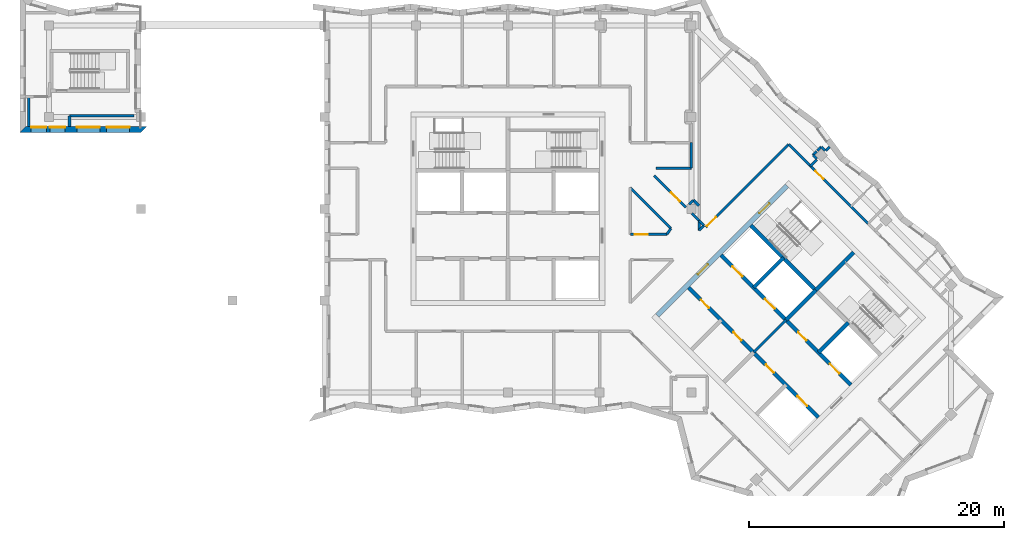
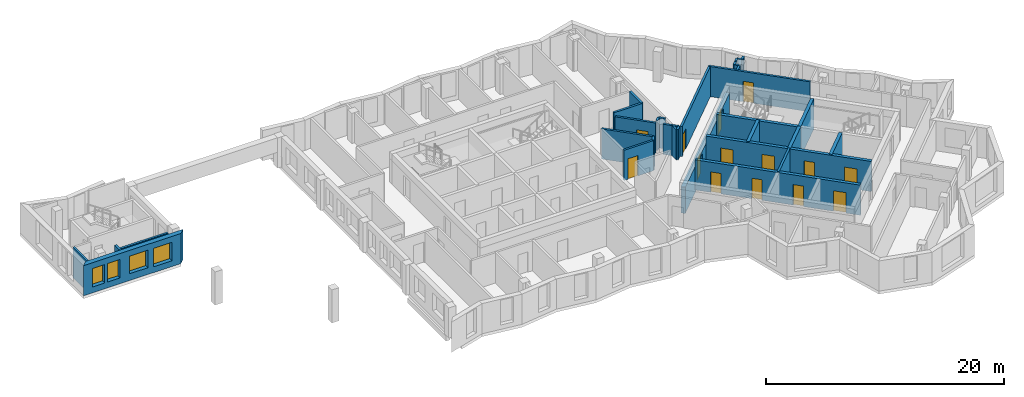
# One storey, part 4 of 13: 33 walls, 14 doors, 4 windows, 18 openings.
"""IFC4 building model written with IfcOpenShell, lengths in metres."""

from ifc_helpers import new_model, si_unit, direction, frame, frame_2d, origin, place, context, subcontext, project, spatial, polyline, rectangle, outline, extrude, material, layer, layer_set, type_object, element, fill, save


model = new_model("IFC4")

# Units and contexts
model_context = context("Model", 3, precision=1e-05, world=origin(), true_north=direction((0.0, 1.0)))
body_context = subcontext(model_context, "Body", "Model", "MODEL_VIEW")
ifc_project = project(units=[si_unit("LENGTHUNIT", "METRE"), si_unit("AREAUNIT", "SQUARE_METRE"), si_unit("VOLUMEUNIT", "CUBIC_METRE"), si_unit("PLANEANGLEUNIT", "RADIAN"), si_unit("MASSUNIT", "GRAM", prefix="KILO")], contexts=[model_context])

# Site, building, storey
site_placement = place(None, origin())
site = spatial("IfcSite", under=ifc_project, at=site_placement, CompositionType="ELEMENT")
building_placement = place(site_placement, origin())
building = spatial("IfcBuilding", under=site, at=building_placement, Name="Windrow Commons", CompositionType="ELEMENT")
storey_placement = place(building_placement, frame((0.0, 0.0, 264.2)))
storey = spatial("IfcBuildingStorey", under=building, at=storey_placement, Name="L72", CompositionType="ELEMENT", Elevation=264.2)

# Wall, openings, windows
ifc_material_1 = material(Name="Brick masonry, red clay brick", Category="masonry")
ifc_layer_1 = layer(ifc_material_1, 0.45)
ifc_layer_set_1 = layer_set([ifc_layer_1], Name="Brick facade wall 450")
wall_type_1 = type_object("IfcWallType", Name="Brick facade wall 450", PredefinedType="SOLIDWALL", material=ifc_layer_set_1)
wall_1_placement = place(storey_placement, frame((26.743, 63.825, 0.0), z_axis=(0.0, 0.0, 1.0), x_axis=(1.0, 0.0, 0.0)))
wall_1 = element("IfcWall", 1, at=wall_1_placement, inside=storey, type_object=wall_type_1, Name="Brick facade wall L72 32", PredefinedType="SOLIDWALL", context=body_context, shape_type="SweptSolid", body=[
    extrude(outline(polyline([(-0.225, -0.225), (9.257, -0.225), (9.707, 0.225), (0.225, 0.225), (-0.225, -0.225)])), origin(), (0.0, 0.0, 1.0), 3.1),
])
opening_1_placement = place(wall_1_placement, frame((6.5695, 0.0, 0.6)))
opening_1 = element("IfcOpeningElement", 2, at=opening_1_placement, cuts=wall_1, Name="Opening W1L", PredefinedType="OPENING", context=body_context, shape_type="SweptSolid", body=[
    extrude(rectangle(XDim=1.8, YDim=1.9, at=frame_2d((0.9, 0.95))), frame((0.0, 0.235, 0.0), z_axis=(0.0, -1.0, 0.0), x_axis=(1.0, 0.0, 0.0)), (0.0, 0.0, 1.0), 0.47),
])
opening_2_placement = place(wall_1_placement, frame((0.641, 0.0, 0.6)))
opening_2 = element("IfcOpeningElement", 3, at=opening_2_placement, cuts=wall_1, Name="Opening W7G", PredefinedType="OPENING", context=body_context, shape_type="SweptSolid", body=[
    extrude(rectangle(XDim=1.2, YDim=1.9, at=frame_2d((0.6, 0.95))), frame((0.0, 0.235, 0.0), z_axis=(0.0, -1.0, 0.0), x_axis=(1.0, 0.0, 0.0)), (0.0, 0.0, 1.0), 0.47),
])
opening_3_placement = place(wall_1_placement, frame((2.124, 0.0, 0.6)))
opening_3 = element("IfcOpeningElement", 4, at=opening_3_placement, cuts=wall_1, Name="Opening W7G", PredefinedType="OPENING", context=body_context, shape_type="SweptSolid", body=[
    extrude(rectangle(XDim=1.2, YDim=1.9, at=frame_2d((0.6, 0.95))), frame((0.0, 0.235, 0.0), z_axis=(0.0, -1.0, 0.0), x_axis=(1.0, 0.0, 0.0)), (0.0, 0.0, 1.0), 0.47),
])
opening_4_placement = place(wall_1_placement, frame((4.2382, 0.0, 0.7)))
opening_4 = element("IfcOpeningElement", 5, at=opening_4_placement, cuts=wall_1, Name="Opening W8", PredefinedType="OPENING", context=body_context, shape_type="SweptSolid", body=[
    extrude(rectangle(XDim=1.8, YDim=1.8, at=frame_2d((0.9, 0.9))), frame((0.0, 0.235, 0.0), z_axis=(0.0, -1.0, 0.0), x_axis=(1.0, 0.0, 0.0)), (0.0, 0.0, 1.0), 0.47),
])
ifc_material_2 = material(Name="Clear float glass in anodised aluminium frame", Category="aluminium")
window_type_1 = type_object("IfcWindowType", Name="Window W1L bedroom 1800x1900", PartitioningType="SINGLE_PANEL", PredefinedType="WINDOW", material=ifc_material_2)
window_1_placement = place(opening_1_placement, origin())
window_1 = element("IfcWindow", 6, at=window_1_placement, inside=storey, type_object=window_type_1, Name="Window L72 32.2", OverallHeight=1.9, OverallWidth=1.8, PartitioningType="SINGLE_PANEL", PredefinedType="WINDOW", context=body_context, shape_type="SweptSolid", body=[
    extrude(rectangle(XDim=1.8, YDim=1.9, at=frame_2d((0.9, 0.95))), frame((0.0, 0.205, 0.0), z_axis=(0.0, -1.0, 0.0), x_axis=(1.0, 0.0, 0.0)), (0.0, 0.0, 1.0), 0.06),
])
fill(opening_1, window_1)
ifc_material_3 = material(Name="Clear float glass in anodised aluminium frame", Category="aluminium")
window_type_2 = type_object("IfcWindowType", Name="Window W7 notch 1200x1900", PartitioningType="SINGLE_PANEL", PredefinedType="WINDOW", material=ifc_material_3)
window_2_placement = place(opening_2_placement, origin())
window_2 = element("IfcWindow", 7, at=window_2_placement, inside=storey, type_object=window_type_2, Name="Window L72 32.3", OverallHeight=1.9, OverallWidth=1.2, PartitioningType="SINGLE_PANEL", PredefinedType="WINDOW", context=body_context, shape_type="SweptSolid", body=[
    extrude(rectangle(XDim=1.2, YDim=1.9, at=frame_2d((0.6, 0.95))), frame((0.0, 0.205, 0.0), z_axis=(0.0, -1.0, 0.0), x_axis=(1.0, 0.0, 0.0)), (0.0, 0.0, 1.0), 0.06),
])
fill(opening_2, window_2)
window_3_placement = place(opening_3_placement, origin())
window_3 = element("IfcWindow", 8, at=window_3_placement, inside=storey, type_object=window_type_2, Name="Window L72 32.1A", OverallHeight=1.9, OverallWidth=1.2, PartitioningType="SINGLE_PANEL", PredefinedType="WINDOW", context=body_context, shape_type="SweptSolid", body=[
    extrude(rectangle(XDim=1.2, YDim=1.9, at=frame_2d((0.6, 0.95))), frame((0.0, 0.205, 0.0), z_axis=(0.0, -1.0, 0.0), x_axis=(1.0, 0.0, 0.0)), (0.0, 0.0, 1.0), 0.06),
])
fill(opening_3, window_3)
ifc_material_4 = material(Name="Clear float glass in anodised aluminium frame", Category="aluminium")
window_type_3 = type_object("IfcWindowType", Name="Window W8 portal 1800x1800", PartitioningType="SINGLE_PANEL", PredefinedType="WINDOW", material=ifc_material_4)
window_4_placement = place(opening_4_placement, origin())
window_4 = element("IfcWindow", 9, at=window_4_placement, inside=storey, type_object=window_type_3, Name="Window L72 32.1B", OverallHeight=1.8, OverallWidth=1.8, PartitioningType="SINGLE_PANEL", PredefinedType="WINDOW", context=body_context, shape_type="SweptSolid", body=[
    extrude(rectangle(XDim=1.8, YDim=1.8, at=frame_2d((0.9, 0.9))), frame((0.0, 0.205, 0.0), z_axis=(0.0, -1.0, 0.0), x_axis=(1.0, 0.0, 0.0)), (0.0, 0.0, 1.0), 0.06),
])
fill(opening_4, window_4)

# Wall
ifc_material_5 = material(Name="Blockwork partition", Category="masonry")
ifc_layer_2 = layer(ifc_material_5, 0.2)
ifc_layer_set_2 = layer_set([ifc_layer_2], Name="Fire lobby partition 200")
wall_type_2 = type_object("IfcWallType", Name="Fire lobby partition 200", PredefinedType="PARTITIONING", material=ifc_layer_set_2)
wall_2_placement = place(storey_placement, frame((84.079, 46.332, 0.0), z_axis=(0.0, 0.0, 1.0), x_axis=(0.7071067812, 0.7071067812, 0.0)))
element("IfcWall", 10, at=wall_2_placement, inside=storey, type_object=wall_type_2, Name="W-core-lobby-B-L72", PredefinedType="PARTITIONING", context=body_context, shape_type="SweptSolid", body=[
    extrude(rectangle(XDim=3.6, YDim=0.2, at=frame_2d((1.8, 0.0))), origin(), (0.0, 0.0, 1.0), 3.1),
])

# Wall, opening, door
ifc_material_6 = material(Name="Blockwork partition", Category="masonry")
ifc_layer_3 = layer(ifc_material_6, 0.2)
ifc_layer_set_3 = layer_set([ifc_layer_3], Name="IW-CORRIDOR-200")
wall_type_3 = type_object("IfcWallType", Name="IW-CORRIDOR-200", PredefinedType="PARTITIONING", material=ifc_layer_set_3)
wall_3_placement = place(storey_placement, frame((80.3315, 56.1625, 0.0), z_axis=(0.0, 0.0, 1.0), x_axis=(0.7071067812, 0.7071067812, 0.0)))
wall_3 = element("IfcWall", 11, at=wall_3_placement, inside=storey, type_object=wall_type_3, Name="W-L72-W008", PredefinedType="PARTITIONING", context=body_context, shape_type="SweptSolid", body=[
    extrude(rectangle(XDim=9.198, YDim=0.2, at=frame_2d((4.599, 0.0))), origin(), (0.0, 0.0, 1.0), 3.1),
])
opening_5_placement = place(wall_3_placement, frame((0.144, 0.0, 0.0)))
opening_5 = element("IfcOpeningElement", 12, at=opening_5_placement, cuts=wall_3, Name="Opening D310F", PredefinedType="OPENING", context=body_context, shape_type="SweptSolid", body=[
    extrude(rectangle(XDim=1.0, YDim=2.1, at=frame_2d((0.5, 1.05))), frame((0.0, 0.11, 0.0), z_axis=(0.0, -1.0, 0.0), x_axis=(1.0, 0.0, 0.0)), (0.0, 0.0, 1.0), 0.22),
])
ifc_material_7 = material(Name="Timber door leaf", Category="wood")
door_type_1 = type_object("IfcDoorType", Name="DT-AMENITY-1000", OperationType="SINGLE_SWING_LEFT", PredefinedType="DOOR", material=ifc_material_7)
door_1_placement = place(opening_5_placement, origin())
door_1 = element("IfcDoor", 13, at=door_1_placement, inside=storey, type_object=door_type_1, Name="D-L72-D019", OperationType="SINGLE_SWING_RIGHT", OverallHeight=2.1, OverallWidth=1.0, PredefinedType="DOOR", context=body_context, shape_type="SweptSolid", body=[
    extrude(rectangle(XDim=1.0, YDim=2.1, at=frame_2d((0.5, 1.05))), frame((0.0, 0.025, 0.0), z_axis=(0.0, -1.0, 0.0), x_axis=(1.0, 0.0, 0.0)), (0.0, 0.0, 1.0), 0.05),
])
fill(opening_5, door_1)

wall_4_placement = place(storey_placement, frame((86.8413, 62.6693, 0.0), z_axis=(0.0, 0.0, 1.0), x_axis=(0.7071067812, -0.7071067812, 0.0)))
wall_4 = element("IfcWall", 14, at=wall_4_placement, inside=storey, type_object=wall_type_3, Name="W-L72-W009", PredefinedType="PARTITIONING", context=body_context, shape_type="SweptSolid", body=[
    extrude(rectangle(XDim=8.7992, YDim=0.2, at=frame_2d((4.3996, 0.0))), origin(), (0.0, 0.0, 1.0), 3.1),
])
opening_6_placement = place(wall_4_placement, frame((2.967, 0.0, 0.0)))
opening_6 = element("IfcOpeningElement", 15, at=opening_6_placement, cuts=wall_4, Name="Opening D109S", PredefinedType="OPENING", context=body_context, shape_type="SweptSolid", body=[
    extrude(rectangle(XDim=0.9, YDim=2.1, at=frame_2d((0.45, 1.05))), frame((0.0, 0.11, 0.0), z_axis=(0.0, -1.0, 0.0), x_axis=(1.0, 0.0, 0.0)), (0.0, 0.0, 1.0), 0.22),
])
ifc_material_8 = material(Name="Timber door leaf", Category="wood")
door_type_2 = type_object("IfcDoorType", Name="DT-BEDROOM-900", OperationType="SINGLE_SWING_LEFT", PredefinedType="DOOR", material=ifc_material_8)
door_2_placement = place(opening_6_placement, origin())
door_2 = element("IfcDoor", 16, at=door_2_placement, inside=storey, type_object=door_type_2, Name="D-L72-D020", OperationType="SINGLE_SWING_LEFT", OverallHeight=2.1, OverallWidth=0.9, PredefinedType="DOOR", context=body_context, shape_type="SweptSolid", body=[
    extrude(rectangle(XDim=0.9, YDim=2.1, at=frame_2d((0.45, 1.05))), frame((0.0, 0.025, 0.0), z_axis=(0.0, -1.0, 0.0), x_axis=(1.0, 0.0, 0.0)), (0.0, 0.0, 1.0), 0.05),
])
fill(opening_6, door_2)

# Walls
wall_5_placement = place(storey_placement, frame((30.402, 64.9, 0.0), z_axis=(0.0, 0.0, 1.0), x_axis=(1.0, 0.0, 0.0)))
element("IfcWall", 17, at=wall_5_placement, inside=storey, type_object=wall_type_3, Name="W-L72-W022", PredefinedType="PARTITIONING", context=body_context, shape_type="SweptSolid", body=[
    extrude(rectangle(XDim=5.068, YDim=0.2, at=frame_2d((2.534, 0.0))), origin(), (0.0, 0.0, 1.0), 2.6),
])
wall_6_placement = place(storey_placement, frame((74.3987, 59.2587, 0.0), z_axis=(0.0, 0.0, 1.0), x_axis=(0.7071067812, -0.7071067812, 0.0)))
element("IfcWall", 18, at=wall_6_placement, inside=storey, type_object=wall_type_3, Name="W-L72-W028", PredefinedType="PARTITIONING", context=body_context, shape_type="SweptSolid", body=[
    extrude(rectangle(XDim=4.5085, YDim=0.2, at=frame_2d((2.2542, 0.0))), origin(), (0.0, 0.0, 1.0), 3.1),
])

# Wall, opening, door
wall_7_placement = place(storey_placement, frame((76.2689, 60.2169, 0.0), z_axis=(0.0, 0.0, 1.0), x_axis=(0.7071067812, -0.7071067812, 0.0)))
wall_7 = element("IfcWall", 19, at=wall_7_placement, inside=storey, type_object=wall_type_3, Name="W-L72-W041", PredefinedType="PARTITIONING", context=body_context, shape_type="SweptSolid", body=[
    extrude(rectangle(XDim=3.5384, YDim=0.2, at=frame_2d((1.7692, 0.0))), origin(), (0.0, 0.0, 1.0), 3.1),
])
opening_7_placement = place(wall_7_placement, frame((1.8911, 0.0, 0.0)))
opening_7 = element("IfcOpeningElement", 20, at=opening_7_placement, cuts=wall_7, Name="Opening D310F", PredefinedType="OPENING", context=body_context, shape_type="SweptSolid", body=[
    extrude(rectangle(XDim=1.0, YDim=2.1, at=frame_2d((0.5, 1.05))), frame((0.0, 0.11, 0.0), z_axis=(0.0, -1.0, 0.0), x_axis=(1.0, 0.0, 0.0)), (0.0, 0.0, 1.0), 0.22),
])
door_3_placement = place(opening_7_placement, origin())
door_3 = element("IfcDoor", 21, at=door_3_placement, inside=storey, type_object=door_type_1, Name="D-L72-D017", OperationType="SINGLE_SWING_LEFT", OverallHeight=2.1, OverallWidth=1.0, PredefinedType="DOOR", context=body_context, shape_type="SweptSolid", body=[
    extrude(rectangle(XDim=1.0, YDim=2.1, at=frame_2d((0.5, 1.05))), frame((0.0, 0.025, 0.0), z_axis=(0.0, -1.0, 0.0), x_axis=(1.0, 0.0, 0.0)), (0.0, 0.0, 1.0), 0.05),
])
fill(opening_7, door_3)

wall_8_placement = place(storey_placement, frame((74.402, 55.6, 0.0), z_axis=(0.0, 0.0, 1.0), x_axis=(1.0, 0.0, 0.0)))
wall_8 = element("IfcWall", 22, at=wall_8_placement, inside=storey, type_object=wall_type_3, Name="W-L72-W050", PredefinedType="PARTITIONING", context=body_context, shape_type="SweptSolid", body=[
    extrude(rectangle(XDim=2.864, YDim=0.2, at=frame_2d((1.432, 0.0))), origin(), (0.0, 0.0, 1.0), 3.1),
])
opening_8_placement = place(wall_8_placement, frame((0.3647, 0.0, 0.0)))
opening_8 = element("IfcOpeningElement", 23, at=opening_8_placement, cuts=wall_8, Name="Opening D410F", PredefinedType="OPENING", context=body_context, shape_type="SweptSolid", body=[
    extrude(rectangle(XDim=1.0, YDim=2.1, at=frame_2d((0.5, 1.05))), frame((0.0, 0.11, 0.0), z_axis=(0.0, -1.0, 0.0), x_axis=(1.0, 0.0, 0.0)), (0.0, 0.0, 1.0), 0.22),
])
ifc_material_9 = material(Name="Timber door leaf", Category="wood")
door_type_3 = type_object("IfcDoorType", Name="DT-SERVICE-1000", OperationType="SINGLE_SWING_LEFT", PredefinedType="DOOR", material=ifc_material_9)
door_4_placement = place(opening_8_placement, origin())
door_4 = element("IfcDoor", 24, at=door_4_placement, inside=storey, type_object=door_type_3, Name="D-L72-D007", OperationType="SINGLE_SWING_LEFT", OverallHeight=2.1, OverallWidth=1.0, PredefinedType="DOOR", context=body_context, shape_type="SweptSolid", body=[
    extrude(rectangle(XDim=1.0, YDim=2.1, at=frame_2d((0.5, 1.05))), frame((0.0, 0.025, 0.0), z_axis=(0.0, -1.0, 0.0), x_axis=(1.0, 0.0, 0.0)), (0.0, 0.0, 1.0), 0.05),
])
fill(opening_8, door_4)

# Walls
wall_9_placement = place(storey_placement, frame((76.42, 60.8, 0.0), z_axis=(0.0, 0.0, 1.0), x_axis=(1.0, 0.0, 0.0)))
element("IfcWall", 25, at=wall_9_placement, inside=storey, type_object=wall_type_3, Name="W-L72-W051", PredefinedType="PARTITIONING", context=body_context, shape_type="SweptSolid", body=[
    extrude(rectangle(XDim=2.78, YDim=0.2, at=frame_2d((1.39, 0.0))), origin(), (0.0, 0.0, 1.0), 3.1),
])
wall_10_placement = place(storey_placement, frame((27.2, 64.05, 0.0), z_axis=(0.0, 0.0, 1.0), x_axis=(0.0, 1.0, 0.0)))
element("IfcWall", 26, at=wall_10_placement, inside=storey, type_object=wall_type_3, Name="W-L72-W060", PredefinedType="PARTITIONING", context=body_context, shape_type="SweptSolid", body=[
    extrude(rectangle(XDim=2.348, YDim=0.2, at=frame_2d((1.174, 0.0))), origin(), (0.0, 0.0, 1.0), 3.1),
])
wall_11_placement = place(storey_placement, frame((79.2, 60.8, 0.0), z_axis=(0.0, 0.0, 1.0), x_axis=(0.0, 1.0, 0.0)))
element("IfcWall", 27, at=wall_11_placement, inside=storey, type_object=wall_type_3, Name="W-L72-W066", PredefinedType="PARTITIONING", context=body_context, shape_type="SweptSolid", body=[
    extrude(rectangle(XDim=2.0, YDim=0.2, at=frame_2d((1.0, 0.0))), origin(), (0.0, 0.0, 1.0), 3.1),
])
wall_12_placement = place(storey_placement, frame((30.4, 64.05, 0.0), z_axis=(0.0, 0.0, 1.0), x_axis=(0.0, 1.0, 0.0)))
element("IfcWall", 28, at=wall_12_placement, inside=storey, type_object=wall_type_3, Name="W-L72-W078", PredefinedType="PARTITIONING", context=body_context, shape_type="SweptSolid", body=[
    extrude(rectangle(XDim=0.85, YDim=0.2, at=frame_2d((0.425, 0.0))), origin(), (0.0, 0.0, 1.0), 3.1),
])
wall_13_placement = place(storey_placement, frame((79.2389, 57.2469, 0.0), z_axis=(0.0, 0.0, 1.0), x_axis=(0.7071067812, -0.7071067812, 0.0)))
element("IfcWall", 29, at=wall_13_placement, inside=storey, type_object=wall_type_3, Name="W-L72-W080", PredefinedType="PARTITIONING", context=body_context, shape_type="SweptSolid", body=[
    extrude(rectangle(XDim=0.7891, YDim=0.2, at=frame_2d((0.3946, 0.0))), origin(), (0.0, 0.0, 1.0), 3.1),
])
wall_14_placement = place(storey_placement, frame((79.8, 55.914, 0.0), z_axis=(0.0, 0.0, 1.0), x_axis=(0.0, 1.0, 0.0)))
element("IfcWall", 30, at=wall_14_placement, inside=storey, type_object=wall_type_3, Name="W-L72-W081", PredefinedType="PARTITIONING", context=body_context, shape_type="SweptSolid", body=[
    extrude(rectangle(XDim=0.778, YDim=0.2, at=frame_2d((0.389, 0.0))), origin(), (0.0, 0.0, 1.0), 3.1),
])
wall_15_placement = place(storey_placement, frame((77.2733, 55.6058, 0.0), z_axis=(0.0, 0.0, 1.0), x_axis=(0.5703285869, 0.821416644, 0.0)))
element("IfcWall", 31, at=wall_15_placement, inside=storey, type_object=wall_type_3, Name="W-L72-W091", PredefinedType="PARTITIONING", context=body_context, shape_type="SweptSolid", body=[
    extrude(rectangle(XDim=0.5576, YDim=0.2, at=frame_2d((0.2788, 0.0))), origin(), (0.0, 0.0, 1.0), 3.1),
])
wall_16_placement = place(storey_placement, frame((79.801, 55.915, 0.0), z_axis=(0.0, 0.0, 1.0), x_axis=(0.7071067812, 0.7071067812, 0.0)))
element("IfcWall", 32, at=wall_16_placement, inside=storey, type_object=wall_type_3, Name="W-L72-W094", PredefinedType="PARTITIONING", context=body_context, shape_type="SweptSolid", body=[
    extrude(rectangle(XDim=0.5487, YDim=0.2, at=frame_2d((0.2743, 0.0))), origin(), (0.0, 0.0, 1.0), 3.1),
])
ifc_material_10 = material(Name="Blockwork partition", Category="masonry")
ifc_layer_4 = layer(ifc_material_10, 0.2)
ifc_layer_set_4 = layer_set([ifc_layer_4], Name="IW-PARTY-200")
wall_type_4 = type_object("IfcWallType", Name="IW-PARTY-200", PredefinedType="PARTITIONING", material=ifc_layer_set_4)
wall_17_placement = place(storey_placement, frame((88.5335, 60.9705, 0.0), z_axis=(0.0, 0.0, 1.0), x_axis=(0.7071067812, 0.7071067812, 0.0)))
element("IfcWall", 33, at=wall_17_placement, inside=storey, type_object=wall_type_4, Name="W-L72-W085", PredefinedType="PARTITIONING", context=body_context, shape_type="SweptSolid", body=[
    extrude(rectangle(XDim=0.7043, YDim=0.2, at=frame_2d((0.3522, 0.0))), origin(), (0.0, 0.0, 1.0), 3.1),
])
wall_18_placement = place(storey_placement, frame((79.3459, 58.2899, 0.0), z_axis=(0.0, 0.0, 1.0), x_axis=(0.7086729034, -0.7055371826, 0.0)))
element("IfcWall", 34, at=wall_18_placement, inside=storey, type_object=wall_type_4, Name="W-L72-W090", PredefinedType="PARTITIONING", context=body_context, shape_type="SweptSolid", body=[
    extrude(rectangle(XDim=0.6378, YDim=0.2, at=frame_2d((0.3189, 0.0))), origin(), (0.0, 0.0, 1.0), 3.1),
])
wall_19_placement = place(storey_placement, frame((79.7969, 56.6889, 0.0), z_axis=(0.0, 0.0, 1.0), x_axis=(0.7071067812, -0.7071067812, 0.0)))
element("IfcWall", 35, at=wall_19_placement, inside=storey, type_object=wall_type_4, Name="W-L72-W092", PredefinedType="PARTITIONING", context=body_context, shape_type="SweptSolid", body=[
    extrude(rectangle(XDim=0.5515, YDim=0.2, at=frame_2d((0.2757, 0.0))), origin(), (0.0, 0.0, 1.0), 3.1),
])
wall_20_placement = place(storey_placement, frame((79.0068, 57.9492, 0.0), z_axis=(0.0, 0.0, 1.0), x_axis=(0.7071067812, 0.7071067812, 0.0)))
element("IfcWall", 36, at=wall_20_placement, inside=storey, type_object=wall_type_4, Name="W-L72-W099", PredefinedType="PARTITIONING", context=body_context, shape_type="SweptSolid", body=[
    extrude(rectangle(XDim=0.4537, YDim=0.2, at=frame_2d((0.2268, 0.0))), origin(), (0.0, 0.0, 1.0), 3.1),
])
for number, where, z_axis, x_axis, name in (
    (37, (88.7426, 61.8146, 0.0), (0.0, 0.0, 1.0), (0.7071067812, -0.7071067812, 0.0), "W-L72-W106"),
    (38, (89.3861, 62.4581, 0.0), (0.0, 0.0, 1.0), (0.7071067812, -0.7071067812, 0.0), "W-L72-W107"),
    (39, (88.7413, 61.8147, 0.0), (0.0, 0.0, 1.0), (0.7071067812, 0.7071067812, 0.0), "W-L72-W108"),
    (40, (89.0953, 62.1687, 0.0), (0.0, 0.0, 1.0), (0.7071067812, 0.7071067812, 0.0), "W-L72-W109"),
):
    element("IfcWall", number, at=place(storey_placement, frame(where, z_axis=z_axis, x_axis=x_axis)), inside=storey, type_object=wall_type_4, Name=name, PredefinedType="PARTITIONING", context=body_context, shape_type="SweptSolid", body=[
        extrude(rectangle(XDim=0.4101, YDim=0.2, at=frame_2d((0.2051, 0.0))), origin(), (0.0, 0.0, 1.0), 3.1),
    ])
wall_21_placement = place(storey_placement, frame((89.7325, 62.1675, 0.0), z_axis=(0.0, 0.0, 1.0), x_axis=(0.7098168379, 0.7043862979, 0.0)))
element("IfcWall", 41, at=wall_21_placement, inside=storey, type_object=wall_type_4, Name="W-L72-W110", PredefinedType="PARTITIONING", context=body_context, shape_type="SweptSolid", body=[
    extrude(rectangle(XDim=0.4419, YDim=0.2, at=frame_2d((0.221, 0.0))), origin(), (0.0, 0.0, 1.0), 3.1),
])

# Wall, openings, doors
ifc_material_11 = material(Name="Concrete C40/50", Category="concrete")
ifc_layer_5 = layer(ifc_material_11, 0.4)
ifc_layer_set_5 = layer_set([ifc_layer_5], Name="RC CORE WALL 400 C40/50")
wall_type_5 = type_object("IfcWallType", Name="RC CORE WALL 400 C40/50", PredefinedType="SHEAR", material=ifc_layer_set_5)
wall_22_placement = place(storey_placement, frame((76.513, 49.2312, -0.3), z_axis=(0.0, 0.0, 1.0), x_axis=(0.7071067812, 0.7071067812, 0.0)))
wall_22 = element("IfcWall", 42, at=wall_22_placement, inside=storey, type_object=wall_type_5, Name="Core B wall outer-W", PredefinedType="SHEAR", context=body_context, shape_type="SweptSolid", body=[
    extrude(rectangle(XDim=14.3999, YDim=0.4, at=frame_2d((7.2, 0.0))), origin(), (0.0, 0.0, 1.0), 2.7),
])
opening_9_placement = place(wall_22_placement, frame((4.55, 0.0, 0.3)))
opening_9 = element("IfcOpeningElement", 43, at=opening_9_placement, cuts=wall_22, Name="Opening D6", PredefinedType="OPENING", context=body_context, shape_type="SweptSolid", body=[
    extrude(rectangle(XDim=1.1, YDim=2.1, at=frame_2d((0.55, 1.05))), frame((0.0, 0.21, 0.0), z_axis=(0.0, -1.0, 0.0), x_axis=(1.0, 0.0, 0.0)), (0.0, 0.0, 1.0), 0.42),
])
opening_10_placement = place(wall_22_placement, frame((11.35, 0.0, 0.3)))
opening_10 = element("IfcOpeningElement", 44, at=opening_10_placement, cuts=wall_22, Name="Opening D7", PredefinedType="OPENING", context=body_context, shape_type="SweptSolid", body=[
    extrude(rectangle(XDim=1.1, YDim=2.1, at=frame_2d((0.55, 1.05))), frame((0.0, 0.21, 0.0), z_axis=(0.0, -1.0, 0.0), x_axis=(1.0, 0.0, 0.0)), (0.0, 0.0, 1.0), 0.42),
])
ifc_material_12 = material(Name="Steel fire door leaf", Category="steel")
door_type_4 = type_object("IfcDoorType", Name="Core lobby door 1100", OperationType="SINGLE_SWING_LEFT", PredefinedType="DOOR", material=ifc_material_12)
door_5_placement = place(opening_9_placement, origin())
door_5 = element("IfcDoor", 45, at=door_5_placement, inside=storey, type_object=door_type_4, Name="Lift lobby door", OperationType="DOUBLE_DOOR_SINGLE_SWING", OverallHeight=2.1, OverallWidth=1.1, PredefinedType="DOOR", context=body_context, shape_type="SweptSolid", body=[
    extrude(rectangle(XDim=1.1, YDim=2.1, at=frame_2d((0.55, 1.05))), frame((0.0, 0.025, 0.0), z_axis=(0.0, -1.0, 0.0), x_axis=(1.0, 0.0, 0.0)), (0.0, 0.0, 1.0), 0.05),
])
fill(opening_9, door_5)
ifc_material_13 = material(Name="Steel fire door leaf", Category="steel")
door_type_5 = type_object("IfcDoorType", Name="Stair door 1100", OperationType="SINGLE_SWING_LEFT", PredefinedType="DOOR", material=ifc_material_13)
door_6_placement = place(opening_10_placement, origin())
door_6 = element("IfcDoor", 46, at=door_6_placement, inside=storey, type_object=door_type_5, Name="Stair door", OperationType="SINGLE_SWING_LEFT", OverallHeight=2.1, OverallWidth=1.1, PredefinedType="DOOR", context=body_context, shape_type="SweptSolid", body=[
    extrude(rectangle(XDim=1.1, YDim=2.1, at=frame_2d((0.55, 1.05))), frame((0.0, 0.025, 0.0), z_axis=(0.0, -1.0, 0.0), x_axis=(1.0, 0.0, 0.0)), (0.0, 0.0, 1.0), 0.05),
])
fill(opening_10, door_6)

# Walls
ifc_material_14 = material(Name="Concrete C40/50", Category="concrete")
ifc_layer_6 = layer(ifc_material_14, 0.3)
ifc_layer_set_6 = layer_set([ifc_layer_6], Name="RC SHAFT WALL 300 C40/50")
wall_type_6 = type_object("IfcWallType", Name="RC SHAFT WALL 300 C40/50", PredefinedType="SOLIDWALL", material=ifc_layer_set_6)
wall_23_placement = place(storey_placement, frame((84.079, 51.4232, 0.0), z_axis=(0.0, 0.0, 1.0), x_axis=(0.7071219326, 0.7070916295, 0.0)))
element("IfcWall", 47, at=wall_23_placement, inside=storey, type_object=wall_type_6, Name="Core B wall shaft-N1", PredefinedType="SOLIDWALL", context=body_context, shape_type="SweptSolid", body=[
    extrude(rectangle(XDim=3.3, YDim=0.3, at=frame_2d((1.65, 0.0))), origin(), (0.0, 0.0, 1.0), 3.1),
])
for number, where, z_axis, x_axis, name in (
    (48, (86.6246, 48.8776, 0.0), (0.0, 0.0, 1.0), (0.7071067812, 0.7071067812, 0.0), "Core B wall shaft-N2"),
    (49, (89.1702, 46.332, 0.0), (0.0, 0.0, 1.0), (0.7071067812, 0.7071067812, 0.0), "Core B wall shaft-N3"),
):
    element("IfcWall", number, at=place(storey_placement, frame(where, z_axis=z_axis, x_axis=x_axis)), inside=storey, type_object=wall_type_6, Name=name, PredefinedType="SOLIDWALL", context=body_context, shape_type="SweptSolid", body=[
        extrude(rectangle(XDim=3.3001, YDim=0.3, at=frame_2d((1.6501, 0.0))), origin(), (0.0, 0.0, 1.0), 3.1),
    ])

# Wall, openings, doors
wall_24_placement = place(storey_placement, frame((78.9879, 51.4232, 0.0), z_axis=(0.0, 0.0, 1.0), x_axis=(0.7071067812, -0.7071067812, 0.0)))
wall_24 = element("IfcWall", 50, at=wall_24_placement, inside=storey, type_object=wall_type_6, Name="Core B wall lobby-S", PredefinedType="SOLIDWALL", context=body_context, shape_type="SweptSolid", body=[
    extrude(rectangle(XDim=14.3999, YDim=0.3, at=frame_2d((7.2, 0.0))), origin(), (0.0, 0.0, 1.0), 3.1),
])
opening_11_placement = place(wall_24_placement, frame((1.35, 0.0, 0.0)))
opening_11 = element("IfcOpeningElement", 51, at=opening_11_placement, cuts=wall_24, Name="Opening D8", PredefinedType="OPENING", context=body_context, shape_type="SweptSolid", body=[
    extrude(rectangle(XDim=0.9, YDim=2.1, at=frame_2d((0.45, 1.05))), frame((0.0, 0.16, 0.0), z_axis=(0.0, -1.0, 0.0), x_axis=(1.0, 0.0, 0.0)), (0.0, 0.0, 1.0), 0.32),
])
opening_12_placement = place(wall_24_placement, frame((4.95, 0.0, 0.0)))
opening_12 = element("IfcOpeningElement", 52, at=opening_12_placement, cuts=wall_24, Name="Opening D8", PredefinedType="OPENING", context=body_context, shape_type="SweptSolid", body=[
    extrude(rectangle(XDim=0.9, YDim=2.1, at=frame_2d((0.45, 1.05))), frame((0.0, 0.16, 0.0), z_axis=(0.0, -1.0, 0.0), x_axis=(1.0, 0.0, 0.0)), (0.0, 0.0, 1.0), 0.32),
])
opening_13_placement = place(wall_24_placement, frame((8.55, 0.0, 0.0)))
opening_13 = element("IfcOpeningElement", 53, at=opening_13_placement, cuts=wall_24, Name="Opening D8", PredefinedType="OPENING", context=body_context, shape_type="SweptSolid", body=[
    extrude(rectangle(XDim=0.9, YDim=2.1, at=frame_2d((0.45, 1.05))), frame((0.0, 0.16, 0.0), z_axis=(0.0, -1.0, 0.0), x_axis=(1.0, 0.0, 0.0)), (0.0, 0.0, 1.0), 0.32),
])
opening_14_placement = place(wall_24_placement, frame((12.05, 0.0, 0.0)))
opening_14 = element("IfcOpeningElement", 54, at=opening_14_placement, cuts=wall_24, Name="Opening LD", PredefinedType="OPENING", context=body_context, shape_type="SweptSolid", body=[
    extrude(rectangle(XDim=1.1, YDim=2.1, at=frame_2d((0.55, 1.05))), frame((0.0, 0.16, 0.0), z_axis=(0.0, -1.0, 0.0), x_axis=(1.0, 0.0, 0.0)), (0.0, 0.0, 1.0), 0.32),
])
ifc_material_15 = material(Name="Steel fire door leaf", Category="steel")
door_type_6 = type_object("IfcDoorType", Name="Core store door 900", OperationType="SINGLE_SWING_LEFT", PredefinedType="DOOR", material=ifc_material_15)
door_7_placement = place(opening_11_placement, origin())
door_7 = element("IfcDoor", 55, at=door_7_placement, inside=storey, type_object=door_type_6, Name="Store door", OperationType="SINGLE_SWING_LEFT", OverallHeight=2.1, OverallWidth=0.9, PredefinedType="DOOR", context=body_context, shape_type="SweptSolid", body=[
    extrude(rectangle(XDim=0.9, YDim=2.1, at=frame_2d((0.45, 1.05))), frame((0.0, 0.025, 0.0), z_axis=(0.0, -1.0, 0.0), x_axis=(1.0, 0.0, 0.0)), (0.0, 0.0, 1.0), 0.05),
])
fill(opening_11, door_7)
door_8_placement = place(opening_12_placement, origin())
door_8 = element("IfcDoor", 56, at=door_8_placement, inside=storey, type_object=door_type_6, Name="Store door", OperationType="SINGLE_SWING_LEFT", OverallHeight=2.1, OverallWidth=0.9, PredefinedType="DOOR", context=body_context, shape_type="SweptSolid", body=[
    extrude(rectangle(XDim=0.9, YDim=2.1, at=frame_2d((0.45, 1.05))), frame((0.0, 0.025, 0.0), z_axis=(0.0, -1.0, 0.0), x_axis=(1.0, 0.0, 0.0)), (0.0, 0.0, 1.0), 0.05),
])
fill(opening_12, door_8)
door_9_placement = place(opening_13_placement, origin())
door_9 = element("IfcDoor", 57, at=door_9_placement, inside=storey, type_object=door_type_6, Name="Store door", OperationType="SINGLE_SWING_LEFT", OverallHeight=2.1, OverallWidth=0.9, PredefinedType="DOOR", context=body_context, shape_type="SweptSolid", body=[
    extrude(rectangle(XDim=0.9, YDim=2.1, at=frame_2d((0.45, 1.05))), frame((0.0, 0.025, 0.0), z_axis=(0.0, -1.0, 0.0), x_axis=(1.0, 0.0, 0.0)), (0.0, 0.0, 1.0), 0.05),
])
fill(opening_13, door_9)
ifc_material_16 = material(Name="Stainless steel door leaf", Category="steel")
door_type_7 = type_object("IfcDoorType", Name="Lift landing door 1100", OperationType="SLIDING_TO_LEFT", PredefinedType="DOOR", material=ifc_material_16)
door_10_placement = place(opening_14_placement, origin())
door_10 = element("IfcDoor", 58, at=door_10_placement, inside=storey, type_object=door_type_7, Name="Lift landing door", OperationType="SLIDING_TO_RIGHT", OverallHeight=2.1, OverallWidth=1.1, PredefinedType="DOOR", context=body_context, shape_type="SweptSolid", body=[
    extrude(rectangle(XDim=1.1, YDim=2.1, at=frame_2d((0.55, 1.05))), frame((0.0, 0.025, 0.0), z_axis=(0.0, -1.0, 0.0), x_axis=(1.0, 0.0, 0.0)), (0.0, 0.0, 1.0), 0.05),
])
fill(opening_14, door_10)

wall_25_placement = place(storey_placement, frame((81.5335, 53.9688, 0.0), z_axis=(0.0, 0.0, 1.0), x_axis=(0.707103309, -0.7071102534, 0.0)))
wall_25 = element("IfcWall", 59, at=wall_25_placement, inside=storey, type_object=wall_type_6, Name="Core B wall lobby-N", PredefinedType="SOLIDWALL", context=body_context, shape_type="SweptSolid", body=[
    extrude(rectangle(XDim=14.4, YDim=0.3, at=frame_2d((7.2, 0.0))), origin(), (0.0, 0.0, 1.0), 3.1),
])
opening_15_placement = place(wall_25_placement, frame((8.55, 0.0, 0.0)))
opening_15 = element("IfcOpeningElement", 60, at=opening_15_placement, cuts=wall_25, Name="Opening D8", PredefinedType="OPENING", context=body_context, shape_type="SweptSolid", body=[
    extrude(rectangle(XDim=0.9, YDim=2.1, at=frame_2d((0.45, 1.05))), frame((0.0, 0.16, 0.0), z_axis=(0.0, -1.0, 0.0), x_axis=(1.0, 0.0, 0.0)), (0.0, 0.0, 1.0), 0.32),
])
opening_16_placement = place(wall_25_placement, frame((1.25, 0.0, 0.0)))
opening_16 = element("IfcOpeningElement", 61, at=opening_16_placement, cuts=wall_25, Name="Opening LD", PredefinedType="OPENING", context=body_context, shape_type="SweptSolid", body=[
    extrude(rectangle(XDim=1.1, YDim=2.1, at=frame_2d((0.55, 1.05))), frame((0.0, 0.16, 0.0), z_axis=(0.0, -1.0, 0.0), x_axis=(1.0, 0.0, 0.0)), (0.0, 0.0, 1.0), 0.32),
])
opening_17_placement = place(wall_25_placement, frame((4.85, 0.0, 0.0)))
opening_17 = element("IfcOpeningElement", 62, at=opening_17_placement, cuts=wall_25, Name="Opening LD", PredefinedType="OPENING", context=body_context, shape_type="SweptSolid", body=[
    extrude(rectangle(XDim=1.1, YDim=2.1, at=frame_2d((0.55, 1.05))), frame((0.0, 0.16, 0.0), z_axis=(0.0, -1.0, 0.0), x_axis=(1.0, 0.0, 0.0)), (0.0, 0.0, 1.0), 0.32),
])
opening_18_placement = place(wall_25_placement, frame((12.05, 0.0, 0.0)))
opening_18 = element("IfcOpeningElement", 63, at=opening_18_placement, cuts=wall_25, Name="Opening LD", PredefinedType="OPENING", context=body_context, shape_type="SweptSolid", body=[
    extrude(rectangle(XDim=1.1, YDim=2.1, at=frame_2d((0.55, 1.05))), frame((0.0, 0.16, 0.0), z_axis=(0.0, -1.0, 0.0), x_axis=(1.0, 0.0, 0.0)), (0.0, 0.0, 1.0), 0.32),
])
door_11_placement = place(opening_15_placement, origin())
door_11 = element("IfcDoor", 64, at=door_11_placement, inside=storey, type_object=door_type_6, Name="Store door", OperationType="SINGLE_SWING_LEFT", OverallHeight=2.1, OverallWidth=0.9, PredefinedType="DOOR", context=body_context, shape_type="SweptSolid", body=[
    extrude(rectangle(XDim=0.9, YDim=2.1, at=frame_2d((0.45, 1.05))), frame((0.0, 0.025, 0.0), z_axis=(0.0, -1.0, 0.0), x_axis=(1.0, 0.0, 0.0)), (0.0, 0.0, 1.0), 0.05),
])
fill(opening_15, door_11)
door_12_placement = place(opening_16_placement, origin())
door_12 = element("IfcDoor", 65, at=door_12_placement, inside=storey, type_object=door_type_7, Name="Lift landing door", OperationType="SLIDING_TO_LEFT", OverallHeight=2.1, OverallWidth=1.1, PredefinedType="DOOR", context=body_context, shape_type="SweptSolid", body=[
    extrude(rectangle(XDim=1.1, YDim=2.1, at=frame_2d((0.55, 1.05))), frame((0.0, 0.025, 0.0), z_axis=(0.0, -1.0, 0.0), x_axis=(1.0, 0.0, 0.0)), (0.0, 0.0, 1.0), 0.05),
])
fill(opening_16, door_12)
door_13_placement = place(opening_17_placement, origin())
door_13 = element("IfcDoor", 66, at=door_13_placement, inside=storey, type_object=door_type_7, Name="Lift landing door", OperationType="SLIDING_TO_RIGHT", OverallHeight=2.1, OverallWidth=1.1, PredefinedType="DOOR", context=body_context, shape_type="SweptSolid", body=[
    extrude(rectangle(XDim=1.1, YDim=2.1, at=frame_2d((0.55, 1.05))), frame((0.0, 0.025, 0.0), z_axis=(0.0, -1.0, 0.0), x_axis=(1.0, 0.0, 0.0)), (0.0, 0.0, 1.0), 0.05),
])
fill(opening_17, door_13)
door_14_placement = place(opening_18_placement, origin())
door_14 = element("IfcDoor", 67, at=door_14_placement, inside=storey, type_object=door_type_7, Name="Lift landing door", OperationType="SLIDING_TO_RIGHT", OverallHeight=2.1, OverallWidth=1.1, PredefinedType="DOOR", context=body_context, shape_type="SweptSolid", body=[
    extrude(rectangle(XDim=1.1, YDim=2.1, at=frame_2d((0.55, 1.05))), frame((0.0, 0.025, 0.0), z_axis=(0.0, -1.0, 0.0), x_axis=(1.0, 0.0, 0.0)), (0.0, 0.0, 1.0), 0.05),
])
fill(opening_18, door_14)

# Walls
wall_26_placement = place(storey_placement, frame((83.8669, 56.3022, 0.0), z_axis=(0.0, 0.0, 1.0), x_axis=(0.7071137256, -0.7070998367, 0.0)))
element("IfcWall", 68, at=wall_26_placement, inside=storey, type_object=wall_type_6, Name="Core B wall stair-S", PredefinedType="SOLIDWALL", context=body_context, shape_type="SweptSolid", body=[
    extrude(rectangle(XDim=7.2, YDim=0.3, at=frame_2d((3.6, 0.0))), origin(), (0.0, 0.0, 1.0), 3.1),
])
wall_27_placement = place(storey_placement, frame((88.9581, 51.2111, 0.0), z_axis=(0.0, 0.0, 1.0), x_axis=(0.7071067812, 0.7071067812, 0.0)))
element("IfcWall", 69, at=wall_27_placement, inside=storey, type_object=wall_type_6, Name="Core B wall stair-mid", PredefinedType="SOLIDWALL", context=body_context, shape_type="SweptSolid", body=[
    extrude(rectangle(XDim=4.1999, YDim=0.3, at=frame_2d((2.1, 0.0))), origin(), (0.0, 0.0, 1.0), 3.1),
])

save(model, "model.ifc")
